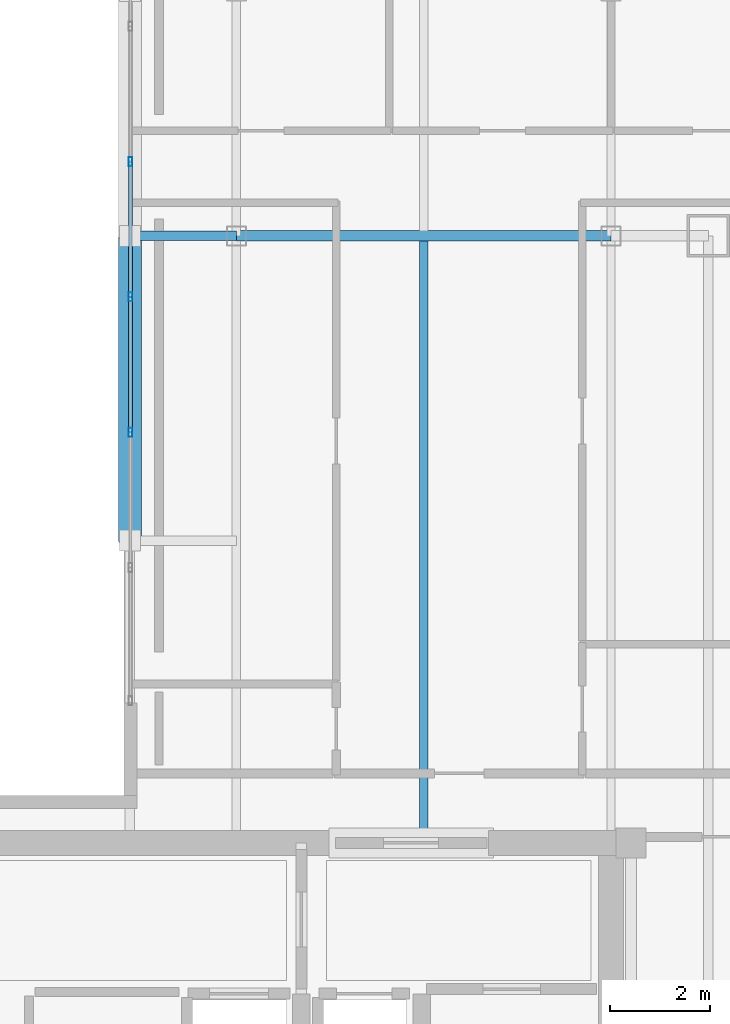
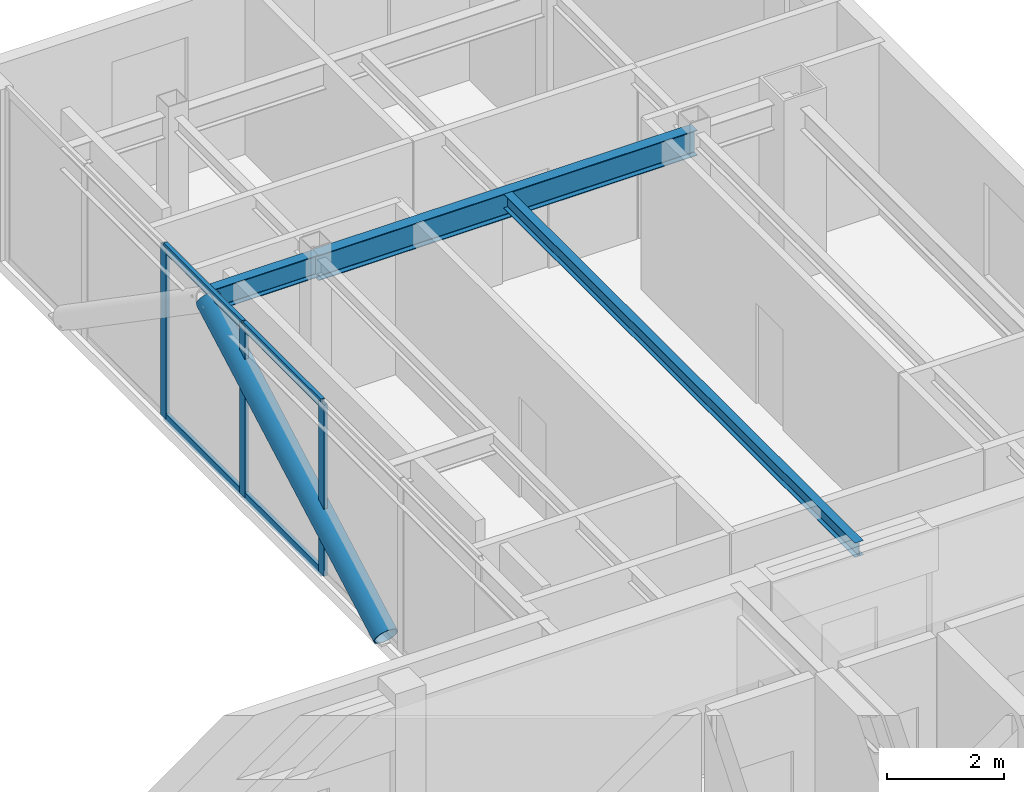
# One storey, part 12 of 19: 8 members, 3 beams, 1 element without a shape of its own.
"""IFC4 building model written with IfcOpenShell, lengths in metres."""

from ifc_helpers import new_model, si_unit, direction, frame, origin, origin_2d, place, context, subcontext, project, spatial, hollow_rectangle, hollow_circle, i_section, extrude, material, material_profile, profile_set, type_object, element, aggregate, save


model = new_model("IFC4")

# Units and contexts
model_context = context("Model", 3, precision=1e-05, world=origin(), true_north=direction((0.0, 1.0)))
body_context = subcontext(model_context, "Body", "Model", "MODEL_VIEW")
ifc_project = project(units=[si_unit("LENGTHUNIT", "METRE"), si_unit("AREAUNIT", "SQUARE_METRE"), si_unit("VOLUMEUNIT", "CUBIC_METRE"), si_unit("PLANEANGLEUNIT", "RADIAN"), si_unit("MASSUNIT", "GRAM", prefix="KILO")], contexts=[model_context])

# Site, building, storey
site_placement = place(None, origin())
site = spatial("IfcSite", under=ifc_project, at=site_placement, CompositionType="ELEMENT")
building_placement = place(site_placement, origin())
building = spatial("IfcBuilding", under=site, at=building_placement, Name="Ventersveld Concourse Tower", CompositionType="ELEMENT")
storey_placement = place(building_placement, frame((0.0, 0.0, 345.199951171875)))
storey = spatial("IfcBuildingStorey", under=building, at=storey_placement, Name="L85", CompositionType="ELEMENT", Elevation=345.199951171875)

# Beam
ifc_material_1 = material(Name="Structural steel S355J2", Category="steel")
ifc_material_profile_1 = material_profile(ifc_material_1, i_section(OverallWidth=0.1650390625, OverallDepth=0.303466796875, WebThickness=0.006103515625, FlangeThickness=0.01025390625, FilletRadius=0.0087890625, at=origin_2d()), Name="UB 305x165x40")
ifc_profile_set_1 = profile_set([ifc_material_profile_1], Name="Structural steel S355J2")
beam_type_1 = type_object("IfcBeamType", Name="BM-UB305", PredefinedType="BEAM", material=ifc_profile_set_1)
beam_1_placement = place(storey_placement, frame((40.0, 11.449951171875, 3.438232421875), z_axis=(0.0, 1.0, 0.0), x_axis=(-1.0, 0.0, 0.0)))
element("IfcBeam", 1, at=beam_1_placement, inside=storey, type_object=beam_type_1, Name="L85 N-S Composite Floor Beam South X=40.00", PredefinedType="BEAM", context=body_context, shape_type="SweptSolid", body=[
    extrude(i_section(OverallWidth=0.1650390625, OverallDepth=0.303466796875, WebThickness=0.006103515625, FlangeThickness=0.01025390625, FilletRadius=0.0087890625, at=origin_2d()), origin(), (0.0, 0.0, 1.0), 12.054931640625),
])

# Curtain wall, members
ifc_material_2 = material(Name="Anodised aluminium EN AW-6063-T6", Category="aluminium")
curtain_wall_type = type_object("IfcCurtainWallType", Name="CW-WP-5", PredefinedType="NOTDEFINED", material=ifc_material_2)
curtain_wall_placement = place(storey_placement, origin())
curtain_wall = element("IfcCurtainWall", 2, at=curtain_wall_placement, inside=storey, type_object=curtain_wall_type, Name="L85 L85 Wind Portal Aerodynamic Cheek Curtain Wall", PredefinedType="NOTDEFINED")
ifc_material_profile_2 = material_profile(ifc_material_2, hollow_rectangle(XDim=0.074951171875, YDim=0.179931640625, WallThickness=0.00390625, at=origin_2d()), Name="ALU 180x75x4")
ifc_profile_set_2 = profile_set([ifc_material_profile_2], Name="Anodised aluminium EN AW-6063-T6")
member_type_1 = type_object("IfcMemberType", Name="CWM-180x75", PredefinedType="MULLION", material=ifc_profile_set_2)
member_1_placement = place(storey_placement, frame((34.1298828125, 19.66748046875, 0.0), z_axis=(0.0, 0.0, 1.0), x_axis=(1.0, 0.0, 0.0)))
member_1 = element("IfcMember", 3, at=member_1_placement, type_object=member_type_1, Name="CW-L85-WP-E Mullion 03", PredefinedType="MULLION", context=body_context, shape_type="SweptSolid", body=[
    extrude(hollow_rectangle(XDim=0.074951171875, YDim=0.179931640625, WallThickness=0.00390625, at=origin_2d()), origin(), (0.0, 0.0, 1.0), 3.590087890625),
])
member_2_placement = place(storey_placement, frame((34.1298828125, 22.376220703125, 0.0), z_axis=(0.0, 0.0, 1.0), x_axis=(1.0, 0.0, 0.0)))
member_2 = element("IfcMember", 4, at=member_2_placement, type_object=member_type_1, Name="CW-L85-WP-E Mullion 04", PredefinedType="MULLION", context=body_context, shape_type="SweptSolid", body=[
    extrude(hollow_rectangle(XDim=0.074951171875, YDim=0.179931640625, WallThickness=0.00390625, at=origin_2d()), origin(), (0.0, 0.0, 1.0), 3.590087890625),
])
member_3_placement = place(storey_placement, frame((34.1298828125, 25.0849609375, 0.0), z_axis=(0.0, 0.0, 1.0), x_axis=(1.0, 0.0, 0.0)))
member_3 = element("IfcMember", 5, at=member_3_placement, type_object=member_type_1, Name="CW-L85-WP-E Mullion 05", PredefinedType="MULLION", context=body_context, shape_type="SweptSolid", body=[
    extrude(hollow_rectangle(XDim=0.074951171875, YDim=0.179931640625, WallThickness=0.00390625, at=origin_2d()), origin(), (0.0, 0.0, 1.0), 3.590087890625),
])
ifc_material_profile_3 = material_profile(ifc_material_2, hollow_rectangle(XDim=0.074951171875, YDim=0.179931640625, WallThickness=0.00390625, at=origin_2d()), Name="ALU 180x75x4")
ifc_profile_set_3 = profile_set([ifc_material_profile_3], Name="Anodised aluminium EN AW-6063-T6")
member_type_2 = type_object("IfcMemberType", Name="CWT-180x75", PredefinedType="USERDEFINED", material=ifc_profile_set_3)
member_4_placement = place(storey_placement, frame((34.1298828125, 19.677490234375, 0.030029296875), z_axis=(0.0, 1.0, 0.0), x_axis=(-1.0, 0.0, 0.0)))
member_4 = element("IfcMember", 6, at=member_4_placement, type_object=member_type_2, Name="CW-L85-WP-E Transom 1-03", ObjectType="TRANSOM", PredefinedType="USERDEFINED", context=body_context, shape_type="SweptSolid", body=[
    extrude(hollow_rectangle(XDim=0.074951171875, YDim=0.179931640625, WallThickness=0.00390625, at=origin_2d()), origin(), (0.0, 0.0, 1.0), 2.688720703125),
])
member_5_placement = place(storey_placement, frame((34.1298828125, 22.38623046875, 0.030029296875), z_axis=(0.0, 1.0, 0.0), x_axis=(-1.0, 0.0, 0.0)))
member_5 = element("IfcMember", 7, at=member_5_placement, type_object=member_type_2, Name="CW-L85-WP-E Transom 1-04", ObjectType="TRANSOM", PredefinedType="USERDEFINED", context=body_context, shape_type="SweptSolid", body=[
    extrude(hollow_rectangle(XDim=0.074951171875, YDim=0.179931640625, WallThickness=0.00390625, at=origin_2d()), origin(), (0.0, 0.0, 1.0), 2.688720703125),
])
member_6_placement = place(storey_placement, frame((34.1298828125, 19.677490234375, 3.56005859375), z_axis=(0.0, 1.0, 0.0), x_axis=(-1.0, 0.0, 0.0)))
member_6 = element("IfcMember", 8, at=member_6_placement, type_object=member_type_2, Name="CW-L85-WP-E Transom 2-03", ObjectType="TRANSOM", PredefinedType="USERDEFINED", context=body_context, shape_type="SweptSolid", body=[
    extrude(hollow_rectangle(XDim=0.074951171875, YDim=0.179931640625, WallThickness=0.00390625, at=origin_2d()), origin(), (0.0, 0.0, 1.0), 2.688720703125),
])
member_7_placement = place(storey_placement, frame((34.1298828125, 22.38623046875, 3.56005859375), z_axis=(0.0, 1.0, 0.0), x_axis=(-1.0, 0.0, 0.0)))
member_7 = element("IfcMember", 9, at=member_7_placement, type_object=member_type_2, Name="CW-L85-WP-E Transom 2-04", ObjectType="TRANSOM", PredefinedType="USERDEFINED", context=body_context, shape_type="SweptSolid", body=[
    extrude(hollow_rectangle(XDim=0.074951171875, YDim=0.179931640625, WallThickness=0.00390625, at=origin_2d()), origin(), (0.0, 0.0, 1.0), 2.688720703125),
])
aggregate(curtain_wall, [member_1, member_2, member_3, member_4, member_5, member_6, member_7])

# Beams
ifc_material_profile_4 = material_profile(ifc_material_1, i_section(OverallWidth=0.209228515625, OverallDepth=0.533203125, WebThickness=0.010009765625, FlangeThickness=0.015625, FilletRadius=0.0126953125, at=origin_2d()), Name="UB 533x210x92")
ifc_profile_set_4 = profile_set([ifc_material_profile_4], Name="Structural steel S355J2")
beam_type_2 = type_object("IfcBeamType", Name="GRD-UB533", PredefinedType="T_BEAM", material=ifc_profile_set_4)
beam_2_placement = place(storey_placement, frame((36.25, 23.60009765625, 3.323486328125), z_axis=(1.0, 0.0, 0.0), x_axis=(0.0, 1.0, 0.0)))
element("IfcBeam", 10, at=beam_2_placement, inside=storey, type_object=beam_type_2, Name="L85 Primary E-W Grid Girder Y=23.60 #4", PredefinedType="T_BEAM", context=body_context, shape_type="SweptSolid", body=[
    extrude(i_section(OverallWidth=0.209228515625, OverallDepth=0.533203125, WebThickness=0.010009765625, FlangeThickness=0.015625, FilletRadius=0.0126953125, at=origin_2d()), origin(), (0.0, 0.0, 1.0), 7.5),
])
ifc_material_profile_5 = material_profile(ifc_material_1, i_section(OverallWidth=0.19140625, OverallDepth=0.4599609375, WebThickness=0.010009765625, FlangeThickness=0.01611328125, FilletRadius=0.01025390625, at=origin_2d()), Name="UB 457x191x82")
ifc_profile_set_5 = profile_set([ifc_material_profile_5], Name="Structural steel S355J2")
beam_type_3 = type_object("IfcBeamType", Name="SPD-UB457", PredefinedType="SPANDREL", material=ifc_profile_set_5)
beam_3_placement = place(storey_placement, frame((34.1201171875, 23.60009765625, 3.360107421875), z_axis=(1.0, 0.0, 0.0), x_axis=(0.0, 1.0, 0.0)))
element("IfcBeam", 11, at=beam_3_placement, inside=storey, type_object=beam_type_3, Name="L85 Wind Portal East Tie YD", PredefinedType="SPANDREL", context=body_context, shape_type="SweptSolid", body=[
    extrude(i_section(OverallWidth=0.19140625, OverallDepth=0.4599609375, WebThickness=0.010009765625, FlangeThickness=0.01611328125, FilletRadius=0.01025390625, at=origin_2d()), origin(), (0.0, 0.0, 1.0), 2.1298828125),
])

# Member
ifc_material_3 = material(Name="Structural steel S355ML", Category="steel")
ifc_material_profile_6 = material_profile(ifc_material_3, hollow_circle(Radius=0.228515625, WallThickness=0.02001953125, at=origin_2d()), Name="CHS 457x20")
ifc_profile_set_6 = profile_set([ifc_material_profile_6], Name="Structural steel S355ML")
member_type_3 = type_object("IfcMemberType", Name="STR-WP-457", PredefinedType="STRUT", material=ifc_profile_set_6)
member_8_placement = place(storey_placement, frame((34.1201171875, 17.5, 0.0), z_axis=(0.0, 0.875301630785, 0.483577351771), x_axis=(-1.0, 0.0, 0.0)))
element("IfcMember", 12, at=member_8_placement, inside=storey, type_object=member_type_3, Name="L85 Wind Portal Edge Brace Strut E1", PredefinedType="STRUT", context=body_context, shape_type="SweptSolid", body=[
    extrude(hollow_circle(Radius=0.228515625, WallThickness=0.02001953125, at=origin_2d()), origin(), (0.0, 0.0, 1.0), 6.96923828125),
])

save(model, "model.ifc")
